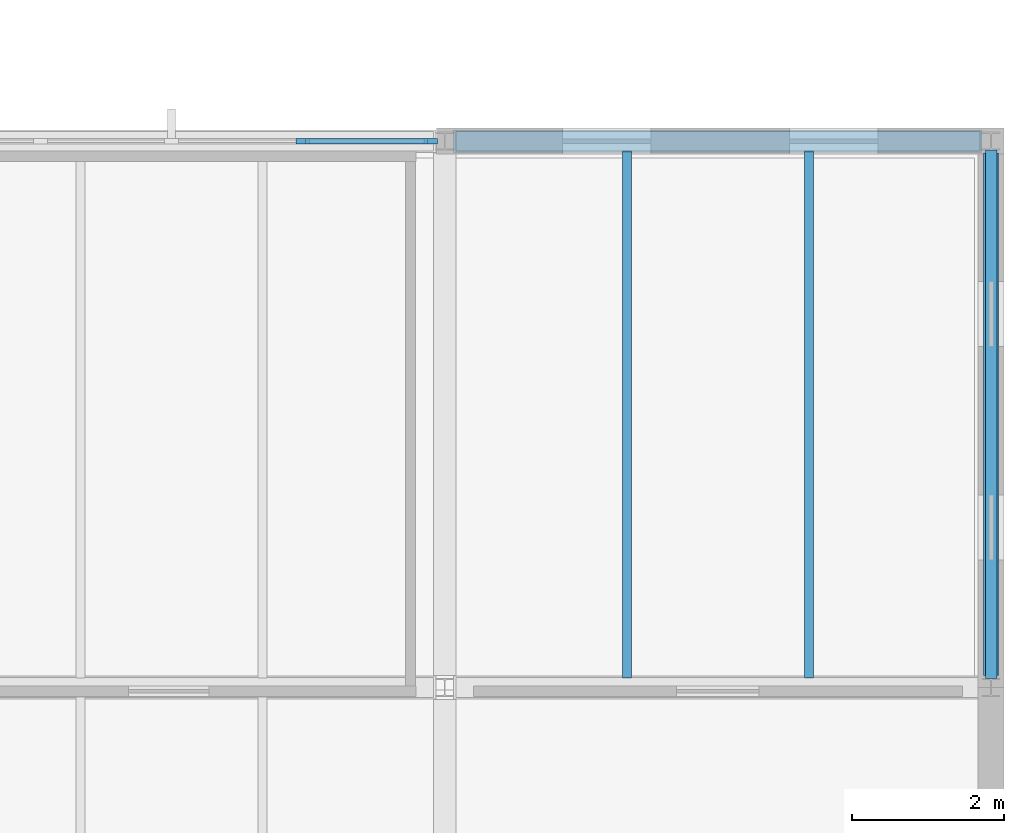
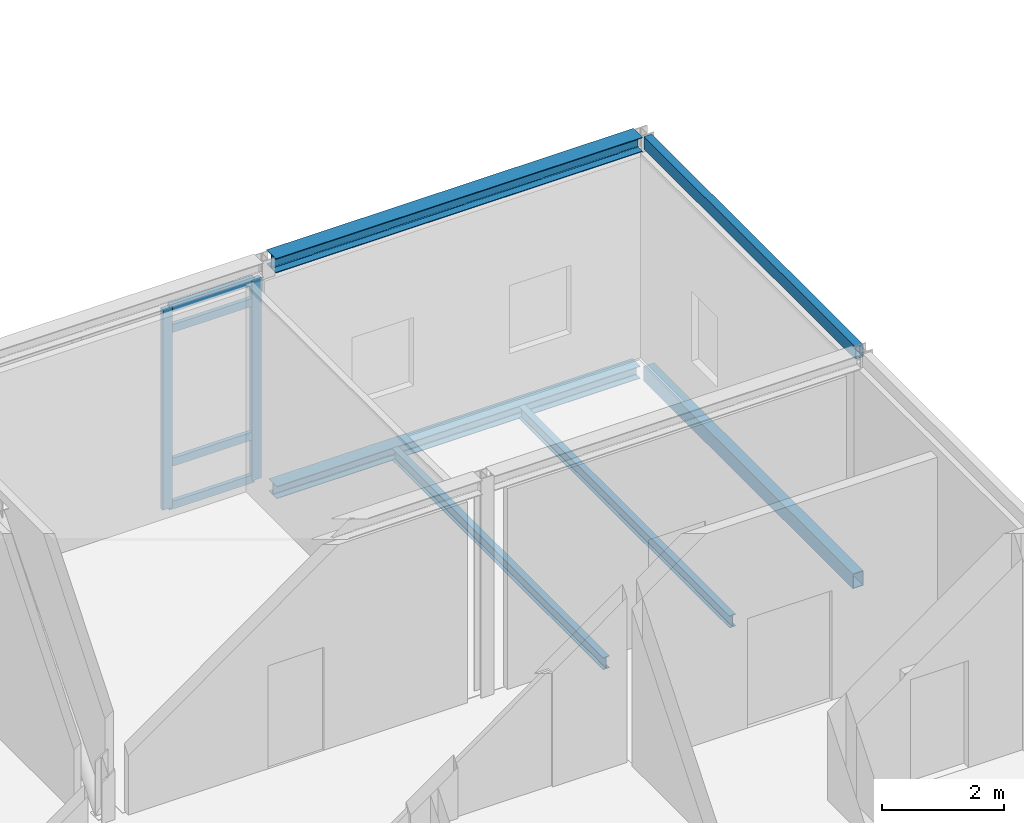
# One storey, part 16 of 43: 6 beams, 6 members, 1 element without a shape of its own.
"""IFC4 building model written with IfcOpenShell, lengths in metres."""

import ifcopenshell
import ifcopenshell.guid

model = None  # the IFC model being written
_history = None  # IfcOwnerHistory: only IFC2X3 demands one
_inside = {}  # id of a spatial element -> (the spatial element, [elements in it])
_under = {}  # id of a project, library or spatial element -> (it, [spatial elements below it])
_declared = {}  # id of a project -> (the project, [libraries it declares])
_typed = {}  # id of a type object -> (the type object, [elements of that type])
_made_of = {}  # id of a material, layer set ... -> (it, [elements and type objects made of it])


def new_model(schema):
    """Start an empty IFC model of exactly this schema.

    Asked for "IFC4X3", IfcOpenShell would pick the latest addendum, in which some entities
    have other attributes; the version numbers below select the first issue.
    IFC2X3 requires an IfcOwnerHistory on every rooted entity: one is made here for all.
    """
    global model, _history
    if schema == "IFC4X3":
        model = ifcopenshell.file(schema_version=(4, 3, 0, 0))
    else:
        model = ifcopenshell.file(schema=schema)
    _inside.clear()
    _under.clear()
    _declared.clear()
    _typed.clear()
    _made_of.clear()
    _history = None
    if model.schema == "IFC2X3":
        org = make("IfcOrganization", Name="unknown")
        user = make(
            "IfcPersonAndOrganization",
            ThePerson=make("IfcPerson", FamilyName="unknown"),
            TheOrganization=org,
        )
        app = make(
            "IfcApplication",
            ApplicationDeveloper=org,
            Version="unknown",
            ApplicationFullName="unknown",
            ApplicationIdentifier="unknown",
        )
        _history = make(
            "IfcOwnerHistory",
            OwningUser=user,
            OwningApplication=app,
            ChangeAction="ADDED",
            CreationDate=0,
        )
    return model


def make(cls, **values):
    """One entity of the class cls with the attributes given. An attribute that is None is left unset."""
    return model.create_entity(
        cls, **{name: value for name, value in values.items() if value is not None}
    )


def rooted(cls, **values):
    """An entity with a GlobalId (a new one), such as an element, a storey or a relation."""
    return make(cls, GlobalId=ifcopenshell.guid.new(), OwnerHistory=_history, **values)


def si_unit(unit_type, name, prefix=None):
    """IfcSIUnit, for example si_unit("LENGTHUNIT", "METRE", prefix="MILLI")."""
    return make("IfcSIUnit", UnitType=unit_type, Prefix=prefix, Name=name)


def assignment(units):
    """IfcUnitAssignment: the units of a project."""
    return None if units is None else make("IfcUnitAssignment", Units=units)


def point(xyz):
    """IfcCartesianPoint."""
    return None if xyz is None else make("IfcCartesianPoint", Coordinates=xyz)


def direction(xyz):
    """IfcDirection."""
    return None if xyz is None else make("IfcDirection", DirectionRatios=xyz)


def frame(location, z_axis=None, x_axis=None):
    """IfcAxis2Placement3D, a coordinate frame: its origin and axes. An axis left out is left unset."""
    return make(
        "IfcAxis2Placement3D",
        Location=point(location),
        Axis=direction(z_axis),
        RefDirection=direction(x_axis),
    )


def frame_2d(location, x_axis=None):
    """IfcAxis2Placement2D, a coordinate frame in the plane: its origin and x axis."""
    return make(
        "IfcAxis2Placement2D", Location=point(location), RefDirection=direction(x_axis)
    )


def origin():
    """The frame at (0, 0, 0) with its axes left unset."""
    return frame((0.0, 0.0, 0.0))


def origin_2d():
    """The frame at (0, 0) in the plane with its x axis left unset."""
    return frame_2d((0.0, 0.0))


def place(relative_to, where):
    """IfcLocalPlacement: puts the frame where relative to a parent placement (None: the world)."""
    return make(
        "IfcLocalPlacement", PlacementRelTo=relative_to, RelativePlacement=where
    )


def context(
    kind, dimensions, precision=None, world=None, true_north=None, identifier=None
):
    """IfcGeometricRepresentationContext, for example the 3D "Model" context."""
    return make(
        "IfcGeometricRepresentationContext",
        ContextIdentifier=identifier,
        ContextType=kind,
        CoordinateSpaceDimension=dimensions,
        Precision=precision,
        WorldCoordinateSystem=world,
        TrueNorth=true_north,
    )


def subcontext(parent, identifier, kind, view, scale=None):
    """IfcGeometricRepresentationSubContext, for example "Body" below "Model"."""
    return make(
        "IfcGeometricRepresentationSubContext",
        ContextIdentifier=identifier,
        ContextType=kind,
        ParentContext=parent,
        TargetScale=scale,
        TargetView=view,
    )


def project(units=None, contexts=None):
    """IfcProject with its units and contexts."""
    return rooted(
        "IfcProject",
        Name="project",
        RepresentationContexts=contexts,
        UnitsInContext=assignment(units),
    )


def spatial(cls, under=None, at=None, **own):
    """A site, building, storey or space (cls), placed at a placement, below another one or the project."""
    s = rooted(cls, ObjectPlacement=at, **own)
    if under is not None:
        _under.setdefault(under.id(), (under, []))[1].append(s)
    return s


def profile(cls, at=None, kind="AREA", **sizes):
    """A parametric profile (cls). Its sizes go by their IFC names, for example OverallWidth=200.0."""
    return make(cls, ProfileType=kind, Position=at, **sizes)


def rectangle(**sizes):
    """IfcRectangleProfileDef."""
    return profile("IfcRectangleProfileDef", **sizes)


def hollow_rectangle(**sizes):
    """IfcRectangleHollowProfileDef."""
    return profile("IfcRectangleHollowProfileDef", **sizes)


def i_section(**sizes):
    """IfcIShapeProfileDef."""
    return profile("IfcIShapeProfileDef", **sizes)


def extrude(swept, where, along, depth):
    """IfcExtrudedAreaSolid: the profile swept, set in the frame where, extruded along a direction by depth."""
    return make(
        "IfcExtrudedAreaSolid",
        SweptArea=swept,
        Position=where,
        ExtrudedDirection=direction(along),
        Depth=depth,
    )


def shape(context_of_items, identifier, shape_type, items):
    """IfcShapeRepresentation: the items that make up one representation, for example the "Body"."""
    return make(
        "IfcShapeRepresentation",
        ContextOfItems=context_of_items,
        RepresentationIdentifier=identifier,
        RepresentationType=shape_type,
        Items=items,
    )


def material(Name=None, Category=None):
    """IfcMaterial."""
    return make("IfcMaterial", Name=Name, Category=Category)


def layer(
    of_material, thickness, ventilated=None, Name=None, Category=None, Priority=None
):
    """IfcMaterialLayer: one layer of a wall or slab, of a material (None: an air gap)."""
    return make(
        "IfcMaterialLayer",
        Material=of_material,
        LayerThickness=thickness,
        IsVentilated=ventilated,
        Name=Name,
        Category=Category,
        Priority=Priority,
    )


def layer_set(layers, Name=None):
    """IfcMaterialLayerSet."""
    return make("IfcMaterialLayerSet", MaterialLayers=layers, LayerSetName=Name)


def material_profile(
    of_material, cross_section, Name=None, Category=None, Priority=None
):
    """IfcMaterialProfile: a cross section and its material."""
    return make(
        "IfcMaterialProfile",
        Name=Name,
        Material=of_material,
        Profile=cross_section,
        Priority=Priority,
        Category=Category,
    )


def profile_set(profiles, Name=None, composite=None):
    """IfcMaterialProfileSet."""
    return make(
        "IfcMaterialProfileSet",
        Name=Name,
        MaterialProfiles=profiles,
        CompositeProfile=composite,
    )


def made_of(thing, what):
    """Note that an element or type object is made of a material, layer set ...; save() writes the relation."""
    if what is not None:
        _made_of.setdefault(what.id(), (what, []))[1].append(thing)
    return thing


def type_object(cls, material=None, **own):
    """A type object (cls), such as IfcWallType, which elements share."""
    return made_of(rooted(cls, **own), material)


def element(
    cls,
    number,
    at=None,
    inside=None,
    cuts=None,
    type_object=None,
    material=None,
    context=None,
    identifier="Body",
    shape_type=None,
    held_by="IfcProductDefinitionShape",
    body=None,
    shapes=None,
    **own,
):
    """One element of the class cls, such as IfcWall. Its Tag is "e" and its number.

    at: its placement. inside: the storey or other place that contains it. cuts: it is an
    opening in that element (IfcRelVoidsElement). A single representation is given by context,
    identifier, shape_type and body (its items); several are given by shapes. held_by: the class
    of the entity that holds the representations. save() writes the other relations.
    """
    e = rooted(cls, Tag="e%d" % number, ObjectPlacement=at, **own)
    if body is not None:
        shapes = [shape(context, identifier, shape_type, body)]
    if shapes is not None:
        e.Representation = make(held_by, Representations=shapes)
    if inside is not None:
        _inside.setdefault(inside.id(), (inside, []))[1].append(e)
    if cuts is not None:
        rooted(
            "IfcRelVoidsElement", RelatingBuildingElement=cuts, RelatedOpeningElement=e
        )
    if type_object is not None:
        _typed.setdefault(type_object.id(), (type_object, []))[1].append(e)
    return made_of(e, material)


def aggregate(whole, parts):
    """IfcRelAggregates: a whole, such as a stair, and the parts it consists of."""
    return rooted("IfcRelAggregates", RelatingObject=whole, RelatedObjects=parts)


def save(model, path):
    """Write the relations noted so far, then the file.

    IfcRelAggregates (storeys below a building ...), IfcRelContainedInSpatialStructure (elements
    in a storey), IfcRelDefinesByType, IfcRelAssociatesMaterial and IfcRelDeclares: one each for
    every whole, place, type object, material and project.
    """
    for whole, parts in _under.values():
        aggregate(whole, parts)
    for where, things in _inside.values():
        rooted(
            "IfcRelContainedInSpatialStructure",
            RelatedElements=things,
            RelatingStructure=where,
        )
    for kind, things in _typed.values():
        rooted("IfcRelDefinesByType", RelatedObjects=things, RelatingType=kind)
    for what, things in _made_of.values():
        rooted("IfcRelAssociatesMaterial", RelatedObjects=things, RelatingMaterial=what)
    for by, libraries in _declared.values():
        rooted("IfcRelDeclares", RelatingContext=by, RelatedDefinitions=libraries)
    model.write(path)


model = new_model("IFC4")

# Units and contexts
model_context = context("Model", 3, precision=1e-05, world=origin(), true_north=direction((0.0, 1.0)))
body_context = subcontext(model_context, "Body", "Model", "MODEL_VIEW")
ifc_project = project(units=[si_unit("LENGTHUNIT", "METRE"), si_unit("AREAUNIT", "SQUARE_METRE"), si_unit("VOLUMEUNIT", "CUBIC_METRE"), si_unit("PLANEANGLEUNIT", "RADIAN"), si_unit("MASSUNIT", "GRAM", prefix="KILO")], contexts=[model_context])

# Site, building, storey
site_placement = place(None, origin())
site = spatial("IfcSite", under=ifc_project, at=site_placement, CompositionType="ELEMENT")
building_placement = place(site_placement, origin())
building = spatial("IfcBuilding", under=site, at=building_placement, Name="Zarrinpeak Specialist Clinic", CompositionType="ELEMENT")
storey_placement = place(building_placement, frame((0.0, 0.0, 18.39990234375)))
storey = spatial("IfcBuildingStorey", under=building, at=storey_placement, Name="L04", CompositionType="ELEMENT", Elevation=18.39990234375)

# Beams
ifc_material_1 = material(Name="Steel S355", Category="steel")
ifc_material_profile_1 = material_profile(ifc_material_1, i_section(OverallWidth=0.260009765625, OverallDepth=0.25, WebThickness=0.007568359375, FlangeThickness=0.012451171875, FilletRadius=0.02392578125, at=origin_2d()), Name="HEA 260")
ifc_profile_set_1 = profile_set([ifc_material_profile_1], Name="Steel S355")
beam_type_1 = type_object("IfcBeamType", Name="BM-HEA260", PredefinedType="BEAM", material=ifc_profile_set_1)
beam_1_placement = place(storey_placement, frame((79.347900390625, 21.60009765625, -0.324951171875), z_axis=(1.0, 0.0, 0.0), x_axis=(0.0, 1.0, 0.0)))
element("IfcBeam", 1, at=beam_1_placement, inside=storey, type_object=beam_type_1, Name="L04 Primary Floor Girder BM-L04-X1846", PredefinedType="BEAM", context=body_context, shape_type="SweptSolid", body=[
    extrude(i_section(OverallWidth=0.260009765625, OverallDepth=0.25, WebThickness=0.007568359375, FlangeThickness=0.012451171875, FilletRadius=0.02392578125, at=origin_2d()), origin(), (0.0, 0.0, 1.0), 6.904052734375),
])
ifc_material_profile_2 = material_profile(ifc_material_1, i_section(OverallWidth=0.300048828125, OverallDepth=0.2900390625, WebThickness=0.008544921875, FlangeThickness=0.013916015625, FilletRadius=0.027099609375, at=origin_2d()), Name="HEA 300")
ifc_profile_set_2 = profile_set([ifc_material_profile_2], Name="Steel S355")
beam_type_2 = type_object("IfcBeamType", Name="BM-HEA300", PredefinedType="BEAM", material=ifc_profile_set_2)
beam_2_placement = place(storey_placement, frame((79.318115234375, 21.60009765625, 4.25), z_axis=(1.0, 0.0, 0.0), x_axis=(0.0, 1.0, 0.0)))
element("IfcBeam", 2, at=beam_2_placement, inside=storey, type_object=beam_type_2, Name="L04 Gable Eave Tie Girder V4 BM-RF-EAVE-2389", PredefinedType="BEAM", context=body_context, shape_type="SweptSolid", body=[
    extrude(i_section(OverallWidth=0.300048828125, OverallDepth=0.2900390625, WebThickness=0.008544921875, FlangeThickness=0.013916015625, FilletRadius=0.027099609375, at=origin_2d()), origin(), (0.0, 0.0, 1.0), 6.9638671875),
])
ifc_material_profile_3 = material_profile(ifc_material_1, i_section(OverallWidth=0.1201171875, OverallDepth=0.239990234375, WebThickness=0.006103515625, FlangeThickness=0.009765625, FilletRadius=0.014892578125, at=origin_2d()), Name="IPE 240")
ifc_profile_set_3 = profile_set([ifc_material_profile_3], Name="Steel S355")
beam_type_3 = type_object("IfcBeamType", Name="BM-JST240", PredefinedType="JOIST", material=ifc_profile_set_3)
for number, where, z_axis, x_axis, name in (
    (3, (81.60009765625, 14.528076171875, -0.31982421875), (0.0, 1.0, 0.0), (-1.0, 0.0, 0.0), "L04 Composite Floor Joist JST-L04-2011"),
    (4, (84.0, 14.528076171875, -0.31982421875), (0.0, 1.0, 0.0), (-1.0, 0.0, 0.0), "L04 Composite Floor Joist JST-L04-2012"),
):
    element("IfcBeam", number, at=place(storey_placement, frame(where, z_axis=z_axis, x_axis=x_axis)), inside=storey, type_object=beam_type_3, Name=name, PredefinedType="JOIST", context=body_context, shape_type="SweptSolid", body=[
        extrude(i_section(OverallWidth=0.1201171875, OverallDepth=0.239990234375, WebThickness=0.006103515625, FlangeThickness=0.009765625, FilletRadius=0.014892578125, at=origin_2d()), origin(), (0.0, 0.0, 1.0), 6.94384765625),
    ])
ifc_material_profile_4 = material_profile(ifc_material_1, hollow_rectangle(XDim=0.14990234375, YDim=0.25, WallThickness=0.010009765625, at=origin_2d()), Name="RHS 250x150x10.0")
ifc_profile_set_4 = profile_set([ifc_material_profile_4], Name="Steel S355")
beam_type_4 = type_object("IfcBeamType", Name="BM-SP250", PredefinedType="SPANDREL", material=ifc_profile_set_4)
beam_3_placement = place(storey_placement, frame((86.39990234375, 14.51806640625, 4.25), z_axis=(0.0, 1.0, 0.0), x_axis=(-1.0, 0.0, 0.0)))
element("IfcBeam", 5, at=beam_3_placement, inside=storey, type_object=beam_type_4, Name="L04 Gable Eave Spandrel Beam V4 BM-RF-SP-2393", PredefinedType="SPANDREL", context=body_context, shape_type="SweptSolid", body=[
    extrude(hollow_rectangle(XDim=0.14990234375, YDim=0.25, WallThickness=0.010009765625, at=origin_2d()), origin(), (0.0, 0.0, 1.0), 6.9638671875),
])
ifc_material_profile_5 = material_profile(ifc_material_1, hollow_rectangle(XDim=0.199951171875, YDim=0.300048828125, WallThickness=0.012451171875, at=origin_2d()), Name="RHS 300x200x12.5")
ifc_profile_set_5 = profile_set([ifc_material_profile_5], Name="Steel S355")
beam_type_5 = type_object("IfcBeamType", Name="BM-SP300", PredefinedType="SPANDREL", material=ifc_profile_set_5)
beam_4_placement = place(storey_placement, frame((86.39990234375, 14.55810546875, -0.349853515625), z_axis=(0.0, 1.0, 0.0), x_axis=(-1.0, 0.0, 0.0)))
element("IfcBeam", 6, at=beam_4_placement, inside=storey, type_object=beam_type_5, Name="L04 Perimeter Spandrel Beam BM-L04-Y1944", PredefinedType="SPANDREL", context=body_context, shape_type="SweptSolid", body=[
    extrude(hollow_rectangle(XDim=0.199951171875, YDim=0.300048828125, WallThickness=0.012451171875, at=origin_2d()), origin(), (0.0, 0.0, 1.0), 6.8837890625),
])

# Curtain wall, members
ifc_material_2 = material(Name="Anodised Aluminium Alloy 6063-T6", Category="aluminium")
ifc_layer = layer(ifc_material_2, 0.179931640625)
ifc_layer_set = layer_set([ifc_layer], Name="Anodised Aluminium Alloy 6063-T6")
curtain_wall_type = type_object("IfcCurtainWallType", Name="CW-COURT", PredefinedType="NOTDEFINED", material=ifc_layer_set)
curtain_wall_placement = place(storey_placement, origin())
curtain_wall = element("IfcCurtainWall", 7, at=curtain_wall_placement, inside=storey, type_object=curtain_wall_type, Name="L04 V4 Unitised Curtain Wall CW-L04-V4-078", PredefinedType="NOTDEFINED")
ifc_material_profile_6 = material_profile(ifc_material_2, rectangle(XDim=0.074951171875, YDim=0.179931640625, at=origin_2d()), Name="ALU 75x180")
ifc_profile_set_6 = profile_set([ifc_material_profile_6], Name="Anodised Aluminium Alloy 6063-T6")
member_type_1 = type_object("IfcMemberType", Name="CWM-75", PredefinedType="MULLION", material=ifc_profile_set_6)
member_1_placement = place(storey_placement, frame((79.017578125, 21.60009765625, 0.0), z_axis=(0.0, 0.0, 1.0), x_axis=(0.0, -1.0, 0.0)))
member_1 = element("IfcMember", 8, at=member_1_placement, type_object=member_type_1, Name="CW-01 mullion 1", PredefinedType="MULLION", context=body_context, shape_type="SweptSolid", body=[
    extrude(rectangle(XDim=0.074951171875, YDim=0.179931640625, at=origin_2d()), origin(), (0.0, 0.0, 1.0), 4.03515625),
])
member_2_placement = place(storey_placement, frame((77.327392578125, 21.60009765625, 0.0), z_axis=(0.0, 0.0, 1.0), x_axis=(0.0, -1.0, 0.0)))
member_2 = element("IfcMember", 9, at=member_2_placement, type_object=member_type_1, Name="CW-01 mullion 2", PredefinedType="MULLION", context=body_context, shape_type="SweptSolid", body=[
    extrude(rectangle(XDim=0.074951171875, YDim=0.179931640625, at=origin_2d()), origin(), (0.0, 0.0, 1.0), 4.03515625),
])
ifc_material_profile_7 = material_profile(ifc_material_2, rectangle(XDim=0.074951171875, YDim=0.159912109375, at=origin_2d()), Name="ALU 75x160")
ifc_profile_set_7 = profile_set([ifc_material_profile_7], Name="Anodised Aluminium Alloy 6063-T6")
member_type_2 = type_object("IfcMemberType", Name="CWT-75", PredefinedType="USERDEFINED", material=ifc_profile_set_7)
member_3_placement = place(storey_placement, frame((78.97998046875, 21.60009765625, 0.03759765625), z_axis=(-1.0, 0.0, 0.0), x_axis=(0.0, -1.0, 0.0)))
member_3 = element("IfcMember", 10, at=member_3_placement, type_object=member_type_2, Name="CW-01 transom 1.1", ObjectType="TRANSOM", PredefinedType="USERDEFINED", context=body_context, shape_type="SweptSolid", body=[
    extrude(rectangle(XDim=0.074951171875, YDim=0.159912109375, at=origin_2d()), origin(), (0.0, 0.0, 1.0), 1.614990234375),
])
member_4_placement = place(storey_placement, frame((78.97998046875, 21.60009765625, 0.900146484375), z_axis=(-1.0, 0.0, 0.0), x_axis=(0.0, -1.0, 0.0)))
member_4 = element("IfcMember", 11, at=member_4_placement, type_object=member_type_2, Name="CW-01 transom 1.2", ObjectType="TRANSOM", PredefinedType="USERDEFINED", context=body_context, shape_type="SweptSolid", body=[
    extrude(rectangle(XDim=0.074951171875, YDim=0.159912109375, at=origin_2d()), origin(), (0.0, 0.0, 1.0), 1.614990234375),
])
member_5_placement = place(storey_placement, frame((78.97998046875, 21.60009765625, 3.585205078125), z_axis=(-1.0, 0.0, 0.0), x_axis=(0.0, -1.0, 0.0)))
member_5 = element("IfcMember", 12, at=member_5_placement, type_object=member_type_2, Name="CW-01 transom 1.3", ObjectType="TRANSOM", PredefinedType="USERDEFINED", context=body_context, shape_type="SweptSolid", body=[
    extrude(rectangle(XDim=0.074951171875, YDim=0.159912109375, at=origin_2d()), origin(), (0.0, 0.0, 1.0), 1.614990234375),
])
member_6_placement = place(storey_placement, frame((78.97998046875, 21.60009765625, 3.99755859375), z_axis=(-1.0, 0.0, 0.0), x_axis=(0.0, -1.0, 0.0)))
member_6 = element("IfcMember", 13, at=member_6_placement, type_object=member_type_2, Name="CW-01 transom 1.4", ObjectType="TRANSOM", PredefinedType="USERDEFINED", context=body_context, shape_type="SweptSolid", body=[
    extrude(rectangle(XDim=0.074951171875, YDim=0.159912109375, at=origin_2d()), origin(), (0.0, 0.0, 1.0), 1.614990234375),
])
aggregate(curtain_wall, [member_1, member_2, member_3, member_4, member_5, member_6])

save(model, "model.ifc")
